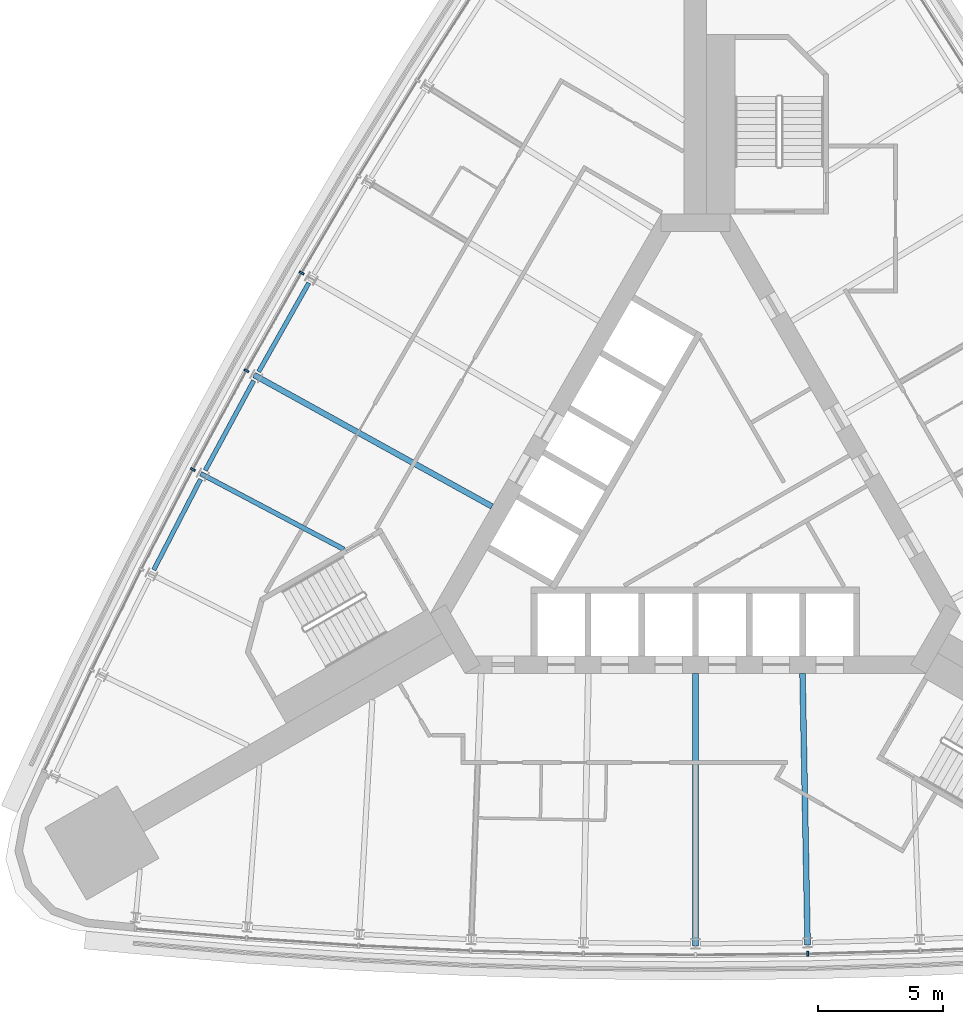
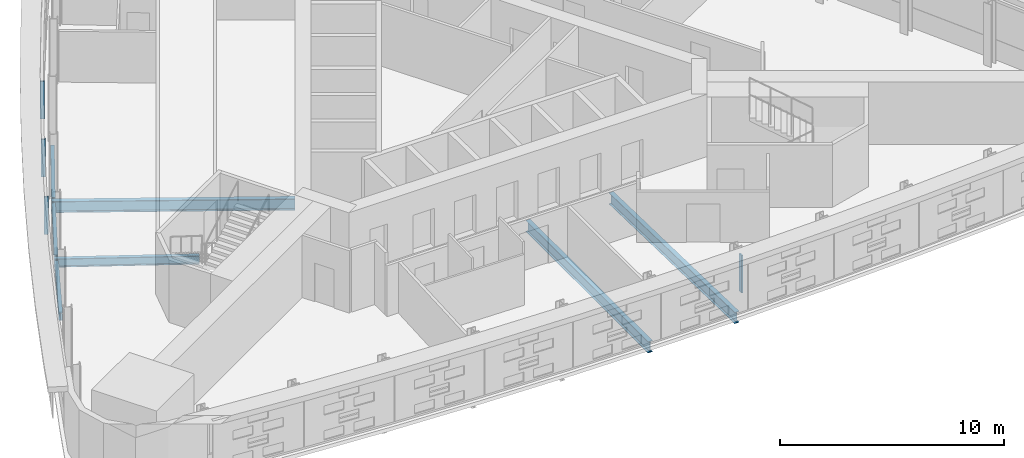
# One storey, part 4 of 14: 7 beams, 4 members, 2 elements without a shape of their own.
"""IFC4 building model written with IfcOpenShell, lengths in metres."""

from ifc_helpers import new_model, si_unit, direction, frame, origin, origin_2d, place, context, subcontext, project, spatial, rectangle, i_section, extrude, material, material_profile, profile_set, type_object, element, aggregate, save


model = new_model("IFC4")

# Units and contexts
model_context = context("Model", 3, precision=1e-05, world=origin(), true_north=direction((0.0, 1.0)))
body_context = subcontext(model_context, "Body", "Model", "MODEL_VIEW")
ifc_project = project(units=[si_unit("LENGTHUNIT", "METRE"), si_unit("AREAUNIT", "SQUARE_METRE"), si_unit("VOLUMEUNIT", "CUBIC_METRE"), si_unit("PLANEANGLEUNIT", "RADIAN"), si_unit("MASSUNIT", "GRAM", prefix="KILO")], contexts=[model_context])

# Site, building, storey
site_placement = place(None, origin())
site = spatial("IfcSite", under=ifc_project, at=site_placement, CompositionType="ELEMENT")
building_placement = place(site_placement, origin())
building = spatial("IfcBuilding", under=site, at=building_placement, Name="Noor Cloister Tower", CompositionType="ELEMENT")
storey_placement = place(building_placement, frame((0.0, 0.0, 34.800048828125)))
storey = spatial("IfcBuildingStorey", under=building, at=storey_placement, Name="L08", CompositionType="ELEMENT", Elevation=34.800048828125)

# Curtain wall, members
ifc_material_1 = material(Name="Aluminium 6063-T6 anodised", Category="aluminium")
curtain_wall_type = type_object("IfcCurtainWallType", Name="Ribbon curtain wall, lower tower CW1", PredefinedType="NOTDEFINED", material=ifc_material_1)
curtain_wall_1_placement = place(storey_placement, origin())
curtain_wall_1 = element("IfcCurtainWall", 1, at=curtain_wall_1_placement, inside=storey, type_object=curtain_wall_type, Name="CW1 L08 NW run 1", PredefinedType="NOTDEFINED")
ifc_material_2 = material(Name="Aluminium 6063-T6 anodised", Category="aluminium")
ifc_material_profile_1 = material_profile(ifc_material_2, rectangle(XDim=0.199951171875, YDim=0.080078125, at=origin_2d()), Name="200 x 80 mullion")
ifc_profile_set_1 = profile_set([ifc_material_profile_1], Name="Aluminium 6063-T6 anodised")
member_type = type_object("IfcMemberType", Name="Mullion CW1 80 x 200", PredefinedType="MULLION", material=ifc_profile_set_1)
member_1_placement = place(storey_placement, frame((-15.767578125, 9.103515625, 1.099853515625), z_axis=(0.0, 0.0, 1.0), x_axis=(0.866025403784, -0.5, 0.0)))
member_1 = element("IfcMember", 2, at=member_1_placement, type_object=member_type, Name="CW1 mullion 6", PredefinedType="MULLION", context=body_context, shape_type="SweptSolid", body=[
    extrude(rectangle(XDim=0.199951171875, YDim=0.080078125, at=origin_2d()), origin(), (0.0, 0.0, 1.0), 2.050048828125),
])
member_2_placement = place(storey_placement, frame((-17.97998046875, 5.18701171875, 1.099853515625), z_axis=(0.0, 0.0, 1.0), x_axis=(0.875236705229, -0.483694851967, 0.0)))
member_2 = element("IfcMember", 3, at=member_2_placement, type_object=member_type, Name="CW1 mullion 7", PredefinedType="MULLION", context=body_context, shape_type="SweptSolid", body=[
    extrude(rectangle(XDim=0.199951171875, YDim=0.080078125, at=origin_2d()), origin(), (0.0, 0.0, 1.0), 2.050048828125),
])
member_3_placement = place(storey_placement, frame((-20.11865234375, 1.22998046875, 1.099853515625), z_axis=(0.0, 0.0, 1.0), x_axis=(0.884141064129, -0.467220053851, 0.0)))
member_3 = element("IfcMember", 4, at=member_3_placement, type_object=member_type, Name="CW1 mullion 8", PredefinedType="MULLION", context=body_context, shape_type="SweptSolid", body=[
    extrude(rectangle(XDim=0.199951171875, YDim=0.080078125, at=origin_2d()), origin(), (0.0, 0.0, 1.0), 2.050048828125),
])
aggregate(curtain_wall_1, [member_1, member_2, member_3])

# Curtain wall, member
curtain_wall_2_placement = place(storey_placement, origin())
curtain_wall_2 = element("IfcCurtainWall", 5, at=curtain_wall_2_placement, inside=storey, type_object=curtain_wall_type, Name="CW1 L08 S run 2", PredefinedType="NOTDEFINED")
member_4_placement = place(storey_placement, frame((4.497802734375, -18.164794921875, 1.099853515625), z_axis=(0.0, 0.0, 1.0), x_axis=(-0.018726323132, 0.999824647037, 0.0)))
member_4 = element("IfcMember", 6, at=member_4_placement, type_object=member_type, Name="CW1 mullion 7", PredefinedType="MULLION", context=body_context, shape_type="SweptSolid", body=[
    extrude(rectangle(XDim=0.199951171875, YDim=0.080078125, at=origin_2d()), origin(), (0.0, 0.0, 1.0), 2.050048828125),
])
aggregate(curtain_wall_2, [member_4])

# Beams
ifc_material_3 = material(Name="Steel ASTM A992 Gr 50", Category="steel")
ifc_material_profile_2 = material_profile(ifc_material_3, i_section(OverallWidth=0.19091796875, OverallDepth=0.45703125, WebThickness=0.009033203125, FlangeThickness=0.014404296875, FilletRadius=0.01025390625, at=origin_2d()), Name="W460x74")
ifc_profile_set_2 = profile_set([ifc_material_profile_2], Name="Steel ASTM A992 Gr 50")
beam_type_1 = type_object("IfcBeamType", Name="Radial beam W460x74", PredefinedType="BEAM", material=ifc_profile_set_2)
beam_1_placement = place(storey_placement, frame((-19.806640625, 1.065185546875, -0.428466796875), z_axis=(0.884140269683, -0.467221557214, 0.0), x_axis=(0.467221557214, 0.884140269683, 0.0)))
element("IfcBeam", 7, at=beam_1_placement, inside=storey, type_object=beam_type_1, Name="Radial beam NW 08 L08", PredefinedType="BEAM", context=body_context, shape_type="SweptSolid", body=[
    extrude(i_section(OverallWidth=0.19091796875, OverallDepth=0.45703125, WebThickness=0.009033203125, FlangeThickness=0.014404296875, FilletRadius=0.01025390625, at=origin_2d()), origin(), (0.0, 0.0, 1.0), 6.484130859375),
])
ifc_material_4 = material(Name="Steel ASTM A992 Gr 50", Category="steel")
ifc_material_profile_3 = material_profile(ifc_material_4, i_section(OverallWidth=0.22900390625, OverallDepth=0.612060546875, WebThickness=0.011962890625, FlangeThickness=0.01953125, FilletRadius=0.0126953125, at=origin_2d()), Name="W610x125")
ifc_profile_set_3 = profile_set([ifc_material_profile_3], Name="Steel ASTM A992 Gr 50")
beam_type_2 = type_object("IfcBeamType", Name="Radial beam W610x125", PredefinedType="BEAM", material=ifc_profile_set_3)
beam_2_placement = place(storey_placement, frame((-17.671142578125, 5.016357421875, -0.506103515625), z_axis=(0.875231041062, -0.48370510103, 0.0), x_axis=(0.48370510103, 0.875231041062, 0.0)))
element("IfcBeam", 8, at=beam_2_placement, inside=storey, type_object=beam_type_2, Name="Radial beam NW 07 L08", PredefinedType="BEAM", context=body_context, shape_type="SweptSolid", body=[
    extrude(i_section(OverallWidth=0.22900390625, OverallDepth=0.612060546875, WebThickness=0.011962890625, FlangeThickness=0.01953125, FilletRadius=0.0126953125, at=origin_2d()), origin(), (0.0, 0.0, 1.0), 10.885498046875),
])
beam_3_placement = place(storey_placement, frame((0.0, -17.853759765625, -0.506103515625), z_axis=(0.0, 1.0, 0.0), x_axis=(-1.0, 0.0, 0.0)))
element("IfcBeam", 9, at=beam_3_placement, inside=storey, type_object=beam_type_2, Name="Radial beam S 06 L08", PredefinedType="BEAM", context=body_context, shape_type="SweptSolid", body=[
    extrude(i_section(OverallWidth=0.22900390625, OverallDepth=0.612060546875, WebThickness=0.011962890625, FlangeThickness=0.01953125, FilletRadius=0.0126953125, at=origin_2d()), origin(), (0.0, 0.0, 1.0), 10.925537109375),
])
beam_4_placement = place(storey_placement, frame((4.4912109375, -17.811767578125, -0.506103515625), z_axis=(-0.01872750761, 0.999824624851, 0.0), x_axis=(-0.999824624851, -0.01872750761, 0.0)))
element("IfcBeam", 10, at=beam_4_placement, inside=storey, type_object=beam_type_2, Name="Radial beam S 07 L08", PredefinedType="BEAM", context=body_context, shape_type="SweptSolid", body=[
    extrude(i_section(OverallWidth=0.22900390625, OverallDepth=0.612060546875, WebThickness=0.011962890625, FlangeThickness=0.01953125, FilletRadius=0.0126953125, at=origin_2d()), origin(), (0.0, 0.0, 1.0), 10.885498046875),
])
ifc_material_5 = material(Name="Steel ASTM A992 Gr 50", Category="steel")
ifc_material_profile_4 = material_profile(ifc_material_5, i_section(OverallWidth=0.177978515625, OverallDepth=0.406005859375, WebThickness=0.0078125, FlangeThickness=0.0126953125, FilletRadius=0.01025390625, at=origin_2d()), Name="W410x60")
ifc_profile_set_4 = profile_set([ifc_material_profile_4], Name="Steel ASTM A992 Gr 50")
beam_type_3 = type_object("IfcBeamType", Name="Spandrel beam W410x60", PredefinedType="SPANDREL", material=ifc_profile_set_4)
for number, where, z_axis, x_axis, name in (
    (11, (-15.477294921875, 8.70263671875, -0.403076171875), (-0.491840652179, -0.870685231794, 0.0), (0.870685231794, -0.491840652179, 0.0), "Spandrel beam NW 06 L08"),
    (12, (-17.68212890625, 4.791748046875, -0.403076171875), (-0.475478288793, -0.879727456027, 0.0), (0.879727456027, -0.475478288793, 0.0), "Spandrel beam NW 07 L08"),
    (13, (-19.8134765625, 0.84033203125, -0.403076171875), (-0.458910785429, -0.888482352676, 0.0), (0.888482352676, -0.458910785429, 0.0), "Spandrel beam NW 08 L08"),
):
    element("IfcBeam", number, at=place(storey_placement, frame(where, z_axis=z_axis, x_axis=x_axis)), inside=storey, type_object=beam_type_3, Name=name, PredefinedType="SPANDREL", context=body_context, shape_type="SweptSolid", body=[
        extrude(i_section(OverallWidth=0.177978515625, OverallDepth=0.406005859375, WebThickness=0.0078125, FlangeThickness=0.0126953125, FilletRadius=0.01025390625, at=origin_2d()), origin(), (0.0, 0.0, 1.0), 4.085693359375),
    ])

save(model, "model.ifc")
